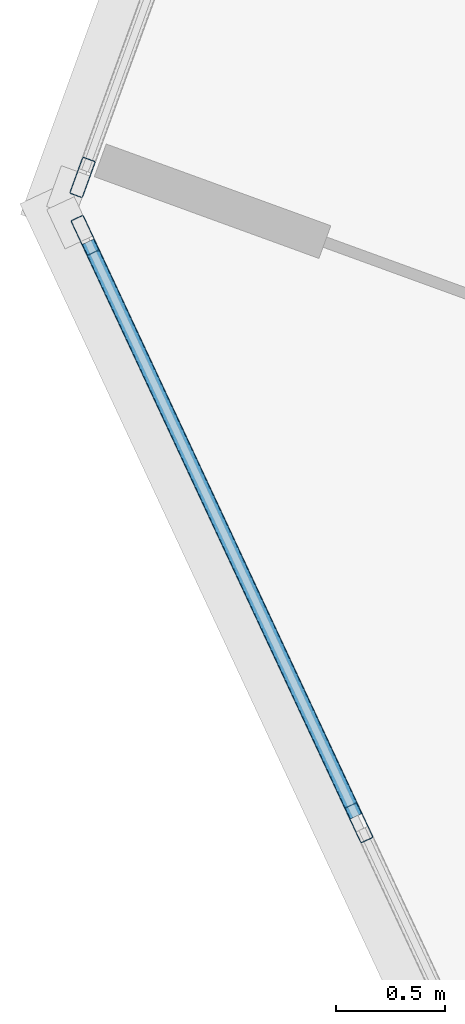
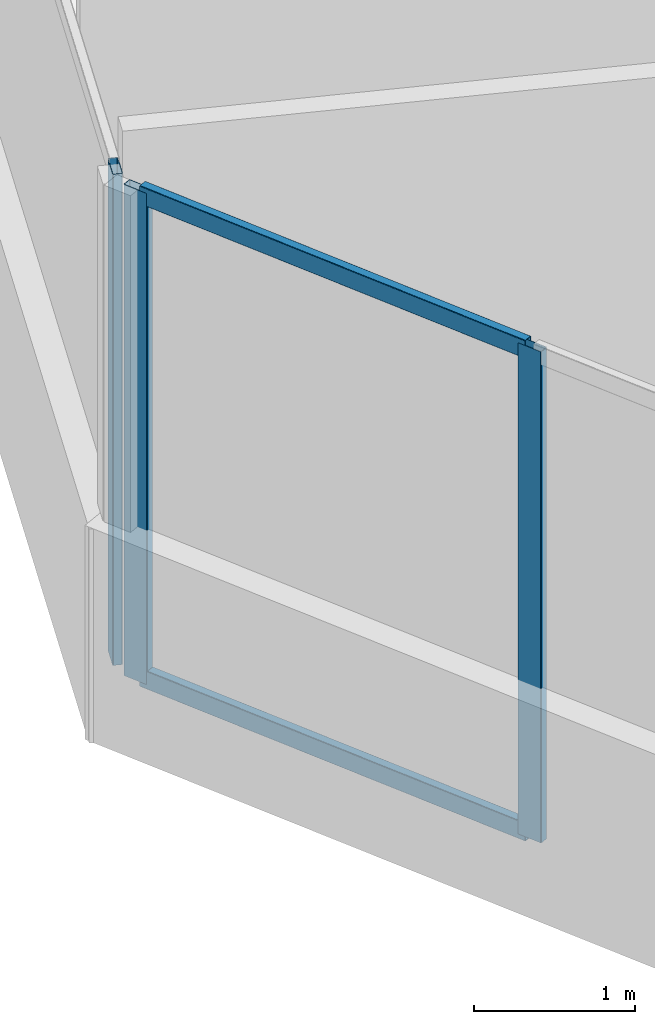
# One storey, part 3 of 21: 5 members, 2 elements without a shape of their own.
"""IFC4 building model written with IfcOpenShell, lengths in metres."""

from ifc_helpers import new_model, si_unit, direction, frame, origin, origin_2d, place, context, subcontext, project, spatial, hollow_rectangle, extrude, source, transform, mapped, material, material_profile, profile_set, type_object, element, aggregate, save


model = new_model("IFC4")

# Units and contexts
model_context = context("Model", 3, precision=1e-05, world=origin(), true_north=direction((0.0, 1.0)))
body_context = subcontext(model_context, "Body", "Model", "MODEL_VIEW")
ifc_project = project(units=[si_unit("LENGTHUNIT", "METRE"), si_unit("AREAUNIT", "SQUARE_METRE"), si_unit("VOLUMEUNIT", "CUBIC_METRE"), si_unit("PLANEANGLEUNIT", "RADIAN"), si_unit("MASSUNIT", "GRAM", prefix="KILO")], contexts=[model_context])

# Site, building, storey
site_placement = place(None, origin())
site = spatial("IfcSite", under=ifc_project, at=site_placement, CompositionType="ELEMENT")
building_placement = place(site_placement, origin())
building = spatial("IfcBuilding", under=site, at=building_placement, Name="Torre Montelarca", CompositionType="ELEMENT")
storey_placement = place(building_placement, frame((0.0, 0.0, 133.0)))
storey = spatial("IfcBuildingStorey", under=building, at=storey_placement, Name="L29", CompositionType="ELEMENT", Elevation=133.0)

# Curtain wall, members
ifc_material_1 = material(Name="Insulated low-E laminated glass", Category="glass")
curtain_wall_type = type_object("IfcCurtainWallType", Name="CW-SYS-Z2", PredefinedType="USERDEFINED", material=ifc_material_1)
curtain_wall_1_placement = place(storey_placement, origin())
curtain_wall_1 = element("IfcCurtainWall", 1, at=curtain_wall_1_placement, inside=storey, type_object=curtain_wall_type, Name="L29 Curtain Wall Run CW-T3-L29-E11-B1", ObjectType="UNITISED GLAZING", PredefinedType="USERDEFINED")
ifc_material_2 = material(Name="Anodised aluminium AA 6063-T6", Category="aluminium")
ifc_material_profile_1 = material_profile(ifc_material_2, hollow_rectangle(XDim=0.06494140625, YDim=0.139892578125, WallThickness=0.00390625, InnerFilletRadius=0.00390625, OuterFilletRadius=0.008056640625, at=origin_2d()), Name="ALU65X140X4", Category="aluminium")
ifc_profile_set_1 = profile_set([ifc_material_profile_1], Name="Anodised aluminium AA 6063-T6")
member_type_1 = type_object("IfcMemberType", Name="CWT-ALU140", PredefinedType="USERDEFINED", material=ifc_profile_set_1)
shared_shape_1 = source(origin(), body_context, "Body", "SweptSolid", [
    extrude(hollow_rectangle(XDim=0.06494140625, YDim=0.139892578125, WallThickness=0.00390625, InnerFilletRadius=0.00390625, OuterFilletRadius=0.008056640625, at=origin_2d()), origin(), (0.0, 0.0, 1.0), 2.918701171875),
])
member_1_placement = place(storey_placement, frame((-2.421875, 26.0517578125, 0.032470703125), z_axis=(0.422587791305, -0.90632199501, 0.0), x_axis=(0.90632199501, 0.422587791305, 0.0)))
member_1 = element("IfcMember", 2, at=member_1_placement, type_object=member_type_1, Name="CW transom 1.1", ObjectType="TRANSOM", PredefinedType="USERDEFINED", context=body_context, shape_type="MappedRepresentation", body=[
    mapped(shared_shape_1, transform((0.0, 0.0, 0.0), scale=1.0)),
])
member_2_placement = place(storey_placement, frame((-2.421875, 26.0517578125, 3.6875), z_axis=(0.422587791305, -0.90632199501, 0.0), x_axis=(0.90632199501, 0.422587791305, 0.0)))
member_2 = element("IfcMember", 3, at=member_2_placement, type_object=member_type_1, Name="CW transom 1.2", ObjectType="TRANSOM", PredefinedType="USERDEFINED", context=body_context, shape_type="MappedRepresentation", body=[
    mapped(shared_shape_1, transform((0.0, 0.0, 0.0), scale=1.0)),
])

# Curtain wall, member
curtain_wall_2_placement = place(storey_placement, origin())
curtain_wall_2 = element("IfcCurtainWall", 4, at=curtain_wall_2_placement, inside=storey, type_object=curtain_wall_type, Name="L29 Curtain Wall Run CW-T3-L29-E10-B1", ObjectType="UNITISED GLAZING", PredefinedType="USERDEFINED")
ifc_material_profile_2 = material_profile(ifc_material_2, hollow_rectangle(XDim=0.06494140625, YDim=0.179931640625, WallThickness=0.00390625, InnerFilletRadius=0.00390625, OuterFilletRadius=0.008056640625, at=origin_2d()), Name="ALU65X180X4", Category="aluminium")
ifc_profile_set_2 = profile_set([ifc_material_profile_2], Name="Anodised aluminium AA 6063-T6")
member_type_2 = type_object("IfcMemberType", Name="CWM-ALU180", PredefinedType="MULLION", material=ifc_profile_set_2)
shared_shape_2 = source(origin(), body_context, "Body", "SweptSolid", [
    extrude(hollow_rectangle(XDim=0.06494140625, YDim=0.179931640625, WallThickness=0.00390625, InnerFilletRadius=0.00390625, OuterFilletRadius=0.008056640625, at=origin_2d()), origin(), (0.0, 0.0, 1.0), 3.719970703125),
])
member_3_placement = place(storey_placement, frame((-2.447265625, 26.347900390625, 0.0), z_axis=(0.0, 0.0, 1.0), x_axis=(0.939692985234, -0.342019142012, 0.0)))
member_3 = element("IfcMember", 5, at=member_3_placement, type_object=member_type_2, Name="CW mullion 3", PredefinedType="MULLION", context=body_context, shape_type="MappedRepresentation", body=[
    mapped(shared_shape_2, transform((0.0, 0.0, 0.0), scale=1.0)),
])
aggregate(curtain_wall_2, [member_3])

# Member
member_4_placement = place(storey_placement, frame((-2.435546875, 26.0810546875, 0.0), z_axis=(0.0, 0.0, 1.0), x_axis=(0.906317349192, 0.422597755027, 0.0)))
member_4 = element("IfcMember", 6, at=member_4_placement, type_object=member_type_2, Name="CW mullion 1", PredefinedType="MULLION", context=body_context, shape_type="MappedRepresentation", body=[
    mapped(shared_shape_2, transform((0.0, 0.0, 0.0), scale=1.0)),
])

member_5_placement = place(storey_placement, frame((-1.1748046875, 23.376953125, 0.0), z_axis=(0.0, 0.0, 1.0), x_axis=(0.906317349192, 0.422597755027, 0.0)))
member_5 = element("IfcMember", 7, at=member_5_placement, type_object=member_type_2, Name="CW mullion 2", PredefinedType="MULLION", context=body_context, shape_type="MappedRepresentation", body=[
    mapped(shared_shape_2, transform((0.0, 0.0, 0.0), scale=1.0)),
])

aggregate(curtain_wall_1, [member_4, member_5, member_1, member_2])

save(model, "model.ifc")
